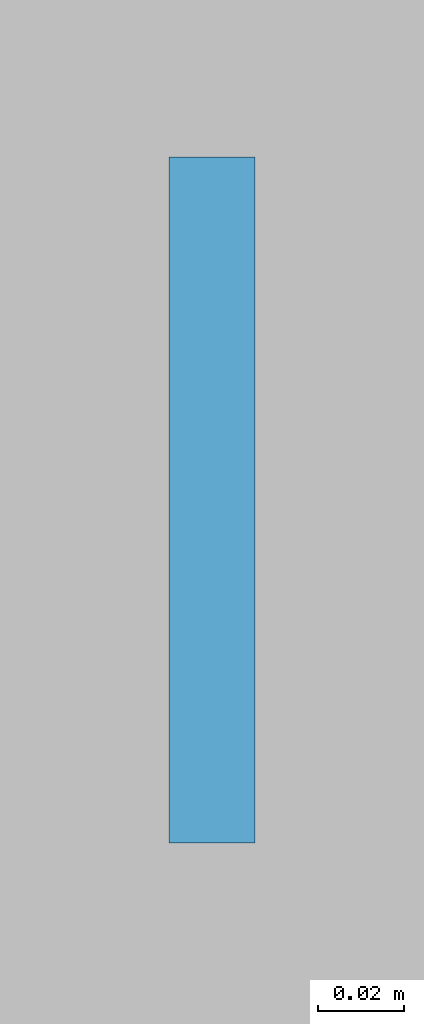
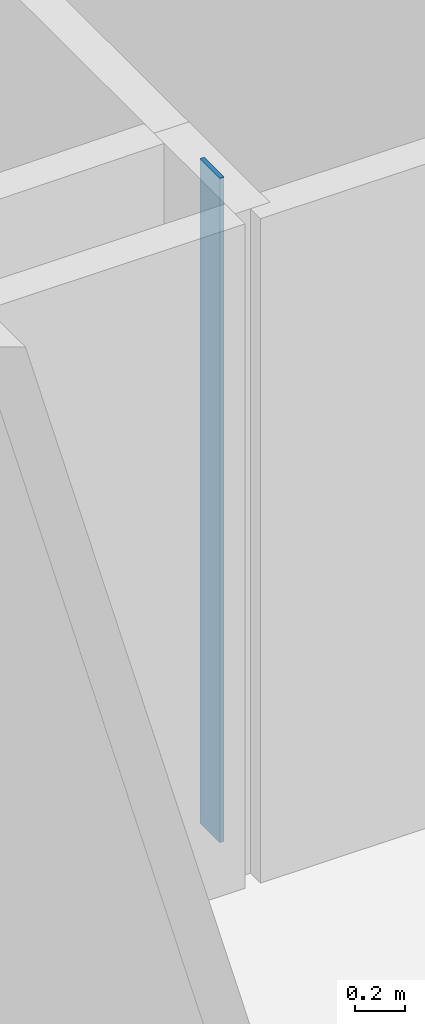
# One storey, part 5 of 12: 1 plate.
"""IFC4 building model written with IfcOpenShell, lengths in metres."""

from ifc_helpers import new_model, si_unit, direction, frame, origin, origin_2d, place, context, subcontext, project, spatial, rectangle, extrude, material, layer, layer_set, type_object, element, save


model = new_model("IFC4")

# Units and contexts
model_context = context("Model", 3, precision=1e-05, world=origin(), true_north=direction((0.0, 1.0)))
body_context = subcontext(model_context, "Body", "Model", "MODEL_VIEW")
ifc_project = project(units=[si_unit("LENGTHUNIT", "METRE"), si_unit("AREAUNIT", "SQUARE_METRE"), si_unit("VOLUMEUNIT", "CUBIC_METRE"), si_unit("PLANEANGLEUNIT", "RADIAN"), si_unit("MASSUNIT", "GRAM", prefix="KILO")], contexts=[model_context])

# Site, building, storey
site_placement = place(None, origin())
site = spatial("IfcSite", under=ifc_project, at=site_placement, CompositionType="ELEMENT")
building_placement = place(site_placement, origin())
building = spatial("IfcBuilding", under=site, at=building_placement, Name="Miruveldt Soraemaru", CompositionType="ELEMENT")
storey_placement = place(building_placement, frame((0.0, 0.0, 110.89990234375)))
storey = spatial("IfcBuildingStorey", under=building, at=storey_placement, Name="L30", CompositionType="ELEMENT", Elevation=110.89990234375)

# Plate
ifc_material = material(Name="Anodised aluminium EN AW-6063 T6", Category="aluminium")
ifc_layer = layer(ifc_material, 0.02001953125, Name="Anodised aluminium EN AW-6063 T6", Category="aluminium")
ifc_layer_set = layer_set([ifc_layer], Name="Anodised aluminium EN AW-6063 T6")
plate_type = type_object("IfcPlateType", Name="PLT-PART-TRIM", PredefinedType="SHEET", material=ifc_layer_set)
plate_placement = place(storey_placement, frame((41.550048828125, 63.75341796875, 0.0), z_axis=(0.0, 0.0, 1.0), x_axis=(0.0, -1.0, 0.0)))
element("IfcPlate", 1, at=plate_placement, inside=storey, type_object=plate_type, Name="L30 Partition Step Corner Trim Plate 016", PredefinedType="SHEET", context=body_context, shape_type="SweptSolid", body=[
    extrude(rectangle(XDim=0.159912109375, YDim=0.02001953125, at=origin_2d()), origin(), (0.0, 0.0, 1.0), 3.235107421875),
])

save(model, "model.ifc")
